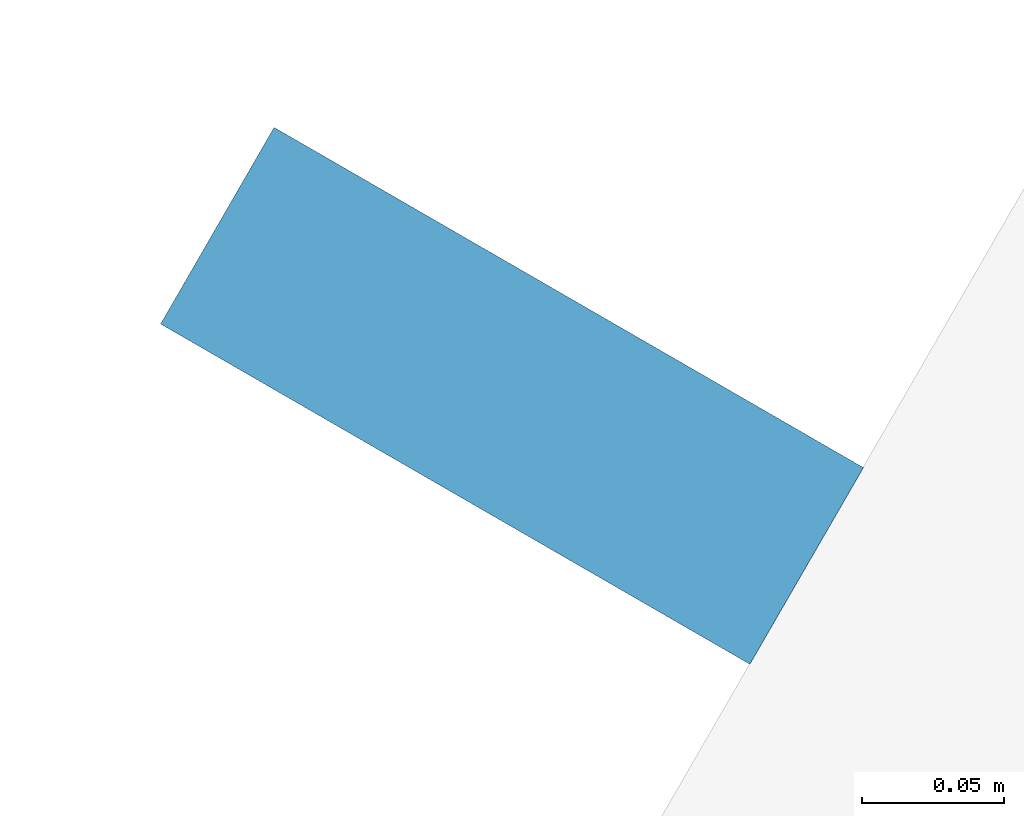
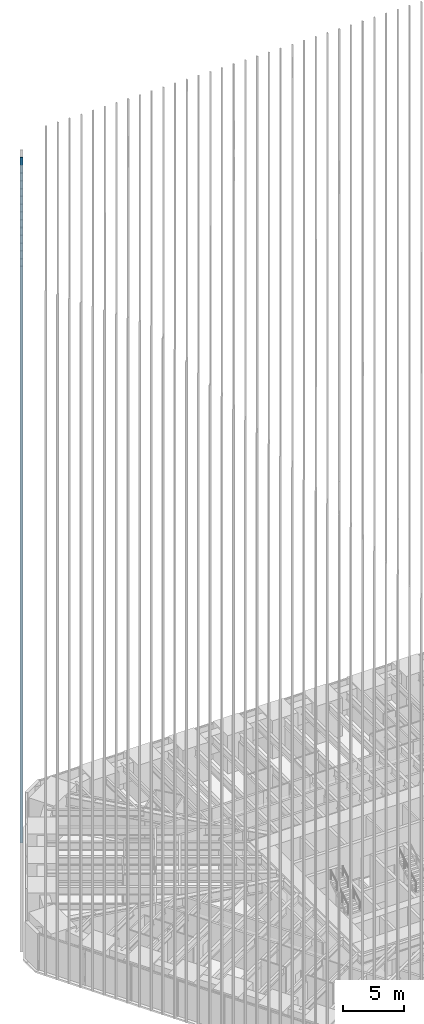
# One storey, part 157 of 256: 1 member, 1 element without a shape of its own.
"""IFC4 building model written with IfcOpenShell, lengths in metres."""

from ifc_helpers import new_model, si_unit, direction, frame, origin, origin_2d, place, context, subcontext, project, spatial, rectangle, extrude, material, material_profile, profile_set, type_object, element, aggregate, save


model = new_model("IFC4")

# Units and contexts
model_context = context("Model", 3, precision=1e-05, world=origin(), true_north=direction((0.0, 1.0)))
body_context = subcontext(model_context, "Body", "Model", "MODEL_VIEW")
ifc_project = project(units=[si_unit("LENGTHUNIT", "METRE"), si_unit("AREAUNIT", "SQUARE_METRE"), si_unit("VOLUMEUNIT", "CUBIC_METRE"), si_unit("PLANEANGLEUNIT", "RADIAN"), si_unit("MASSUNIT", "GRAM", prefix="KILO")], contexts=[model_context])

# Site, building, storey
site_placement = place(None, origin())
site = spatial("IfcSite", under=ifc_project, at=site_placement, CompositionType="ELEMENT")
building_placement = place(site_placement, origin())
building = spatial("IfcBuilding", under=site, at=building_placement, Name="Sandreach Pilgrim Tower", CompositionType="ELEMENT")
storey_placement = place(building_placement, frame((0.0, 0.0, 23.0)))
storey = spatial("IfcBuildingStorey", under=building, at=storey_placement, Name="L04", CompositionType="ELEMENT", Elevation=23.0)

# Curtain wall, member
ifc_material_1 = material(Name="Aluminium framed curtain wall", Category="aluminium")
curtain_wall_type = type_object("IfcCurtainWallType", Name="Hostel tower curtain wall", PredefinedType="NOTDEFINED", material=ifc_material_1)
curtain_wall_placement = place(storey_placement, origin())
curtain_wall = element("IfcCurtainWall", 1, at=curtain_wall_placement, inside=storey, type_object=curtain_wall_type, Name="CW-1 L04 NW", PredefinedType="NOTDEFINED")
ifc_material_2 = material(Name="Extruded terracotta on aluminium core", Category="masonry")
ifc_material_profile = material_profile(ifc_material_2, rectangle(XDim=0.080078125, YDim=0.239990234375, at=origin_2d()), Name="TBW 80X240")
ifc_profile_set = profile_set([ifc_material_profile], Name="Extruded terracotta on aluminium core")
member_type = type_object("IfcMemberType", Name="Terracotta baguette west", PredefinedType="USERDEFINED", material=ifc_profile_set)
member_placement = place(storey_placement, frame((-22.754150390625, 21.4501953125, 0.0), z_axis=(0.0, 0.0, 1.0), x_axis=(0.5, 0.866025403784, 0.0)))
member = element("IfcMember", 2, at=member_placement, type_object=member_type, Name="Baguette Z1 NW15", ObjectType="BAGUETTE", PredefinedType="USERDEFINED", context=body_context, shape_type="SweptSolid", body=[
    extrude(rectangle(XDim=0.080078125, YDim=0.239990234375, at=origin_2d()), origin(), (0.0, 0.0, 1.0), 68.239990234375),
])
aggregate(curtain_wall, [member])

save(model, "model.ifc")
